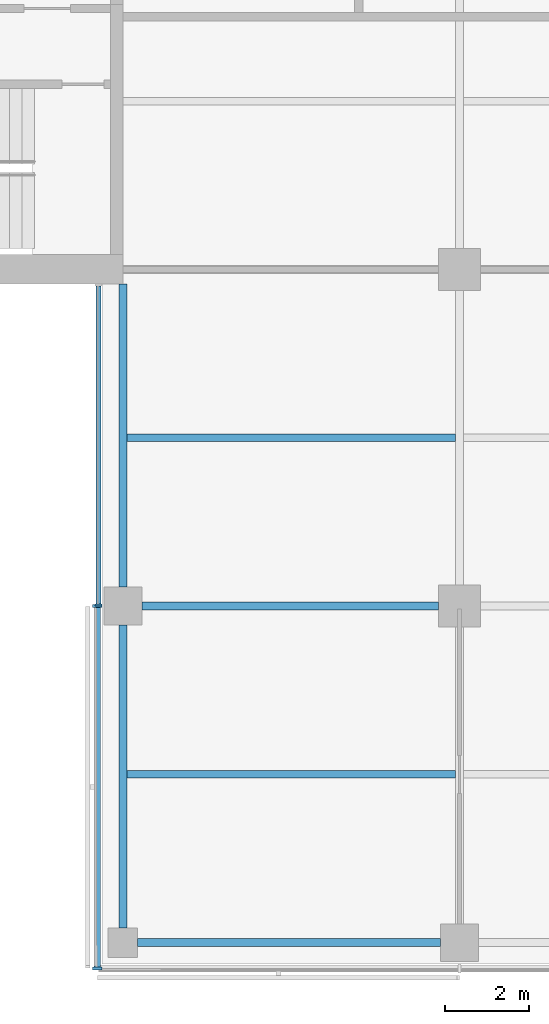
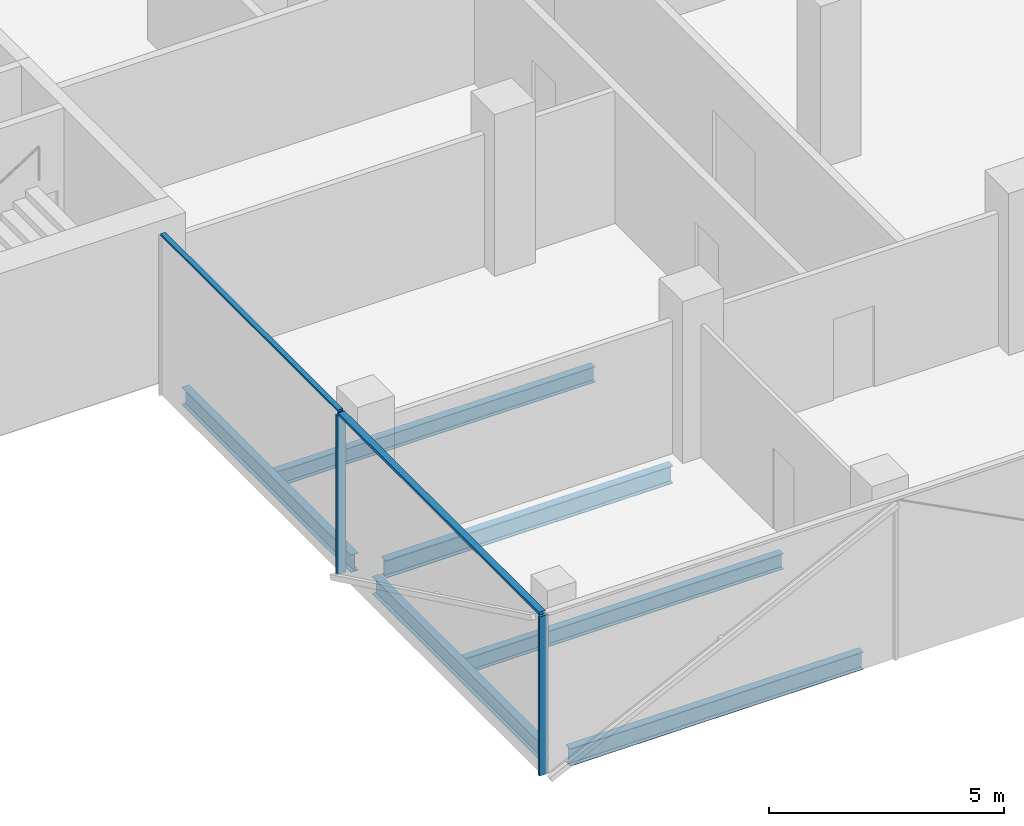
# One storey, part 2 of 22: 6 beams, 5 members, 2 elements without a shape of their own.
"""IFC4 building model written with IfcOpenShell, lengths in metres."""

from ifc_helpers import new_model, si_unit, direction, frame, origin, origin_2d, place, context, subcontext, project, spatial, rectangle, i_section, extrude, material, material_profile, profile_set, type_object, element, aggregate, save


model = new_model("IFC4")

# Units and contexts
model_context = context("Model", 3, precision=1e-05, world=origin(), true_north=direction((0.0, 1.0)))
body_context = subcontext(model_context, "Body", "Model", "MODEL_VIEW")
ifc_project = project(units=[si_unit("LENGTHUNIT", "METRE"), si_unit("AREAUNIT", "SQUARE_METRE"), si_unit("VOLUMEUNIT", "CUBIC_METRE"), si_unit("PLANEANGLEUNIT", "RADIAN"), si_unit("MASSUNIT", "GRAM", prefix="KILO")], contexts=[model_context])

# Site, building, storey
site_placement = place(None, origin())
site = spatial("IfcSite", under=ifc_project, at=site_placement, CompositionType="ELEMENT")
building_placement = place(site_placement, origin())
building = spatial("IfcBuilding", under=site, at=building_placement, Name="Crosswind Convention Tower", CompositionType="ELEMENT")
storey_placement = place(building_placement, frame((0.0, 0.0, 154.699951171875)))
storey = spatial("IfcBuildingStorey", under=building, at=storey_placement, Name="L32", CompositionType="ELEMENT", Elevation=154.699951171875)

# Beams
ifc_material_1 = material(Name="Steel S355", Category="steel")
ifc_material_profile_1 = material_profile(ifc_material_1, i_section(OverallWidth=0.18994140625, OverallDepth=0.45361328125, WebThickness=0.008544921875, FlangeThickness=0.0126953125, FilletRadius=0.01025390625, at=origin_2d()), Name="UB 457x191x67")
ifc_profile_set_1 = profile_set([ifc_material_profile_1], Name="Steel S355")
beam_type_1 = type_object("IfcBeamType", Name="Edge beam UB 457x191x67", PredefinedType="SPANDREL", material=ifc_profile_set_1)
for number, where, z_axis, x_axis, name in (
    (1, (113.0, 72.35009765625, -0.52685546875), (0.0, 1.0, 0.0), (-1.0, 0.0, 0.0), "B16 L32 edge beam 6"),
    (2, (113.0, 80.449951171875, -0.52685546875), (0.0, 1.0, 0.0), (-1.0, 0.0, 0.0), "B16 L32 edge beam 7"),
    (3, (113.35009765625, 72.0, -0.52685546875), (1.0, 0.0, 0.0), (0.0, 1.0, 0.0), "B16 L32 edge beam 10"),
):
    element("IfcBeam", number, at=place(storey_placement, frame(where, z_axis=z_axis, x_axis=x_axis)), inside=storey, type_object=beam_type_1, Name=name, PredefinedType="SPANDREL", context=body_context, shape_type="SweptSolid", body=[
        extrude(i_section(OverallWidth=0.18994140625, OverallDepth=0.45361328125, WebThickness=0.008544921875, FlangeThickness=0.0126953125, FilletRadius=0.01025390625, at=origin_2d()), origin(), (0.0, 0.0, 1.0), 7.199951171875),
    ])
ifc_material_profile_2 = material_profile(ifc_material_1, i_section(OverallWidth=0.19140625, OverallDepth=0.460205078125, WebThickness=0.010009765625, FlangeThickness=0.01611328125, FilletRadius=0.01025390625, at=origin_2d()), Name="UB 457x191x82")
ifc_profile_set_2 = profile_set([ifc_material_profile_2], Name="Steel S355")
beam_type_2 = type_object("IfcBeamType", Name="Girder UB 457x191x82", PredefinedType="BEAM", material=ifc_profile_set_2)
beam_placement = place(storey_placement, frame((113.449951171875, 80.0, -0.530029296875), z_axis=(1.0, 0.0, 0.0), x_axis=(0.0, 1.0, 0.0)))
element("IfcBeam", 4, at=beam_placement, inside=storey, type_object=beam_type_2, Name="B3 L32 girder 1", PredefinedType="BEAM", context=body_context, shape_type="SweptSolid", body=[
    extrude(i_section(OverallWidth=0.19140625, OverallDepth=0.460205078125, WebThickness=0.010009765625, FlangeThickness=0.01611328125, FilletRadius=0.01025390625, at=origin_2d()), origin(), (0.0, 0.0, 1.0), 7.050048828125),
])

# Curtain wall, member
ifc_material_2 = material(Name="Aluminium unitised curtain wall", Category="aluminium")
curtain_wall_type_1 = type_object("IfcCurtainWallType", Name="CORE END SLOT WALL 160", PredefinedType="USERDEFINED", material=ifc_material_2)
curtain_wall_1_placement = place(storey_placement, origin())
curtain_wall_1 = element("IfcCurtainWall", 5, at=curtain_wall_1_placement, inside=storey, type_object=curtain_wall_type_1, Name="CW6 L32 S-W.1-1 slot", ObjectType="UNITISED", PredefinedType="USERDEFINED")
ifc_material_3 = material(Name="Aluminium mullion", Category="aluminium")
ifc_material_profile_3 = material_profile(ifc_material_3, rectangle(XDim=0.159912109375, YDim=0.050048828125, at=origin_2d()), Name="AL 160X50")
ifc_profile_set_3 = profile_set([ifc_material_profile_3], Name="Aluminium mullion")
member_type_1 = type_object("IfcMemberType", Name="MULLION 50X160", PredefinedType="MULLION", material=ifc_profile_set_3)
member_1_placement = place(storey_placement, frame((112.419921875, 80.02490234375, -0.300048828125), z_axis=(0.0, 0.0, 1.0), x_axis=(-1.0, 0.0, 0.0)))
member_1 = element("IfcMember", 6, at=member_1_placement, type_object=member_type_1, Name="CW6 mullion 2", PredefinedType="MULLION", context=body_context, shape_type="SweptSolid", body=[
    extrude(rectangle(XDim=0.159912109375, YDim=0.050048828125, at=origin_2d()), origin(), (0.0, 0.0, 1.0), 4.150146484375),
])

# Curtain wall, members
curtain_wall_type_2 = type_object("IfcCurtainWallType", Name="OFFICE UNITISED WALL 220", PredefinedType="USERDEFINED", material=ifc_material_2)
curtain_wall_2_placement = place(storey_placement, origin())
curtain_wall_2 = element("IfcCurtainWall", 7, at=curtain_wall_2_placement, inside=storey, type_object=curtain_wall_type_2, Name="CW3 L32 S-W 1", ObjectType="UNITISED", PredefinedType="USERDEFINED")
ifc_material_profile_4 = material_profile(ifc_material_3, rectangle(XDim=0.219970703125, YDim=0.070068359375, at=origin_2d()), Name="AL 220X70")
ifc_profile_set_4 = profile_set([ifc_material_profile_4], Name="Aluminium mullion")
member_type_2 = type_object("IfcMemberType", Name="MULLION 70X220", PredefinedType="MULLION", material=ifc_profile_set_4)
member_2_placement = place(storey_placement, frame((112.389892578125, 80.0, -0.300048828125), z_axis=(0.0, 0.0, 1.0), x_axis=(-1.0, 0.0, 0.0)))
member_2 = element("IfcMember", 8, at=member_2_placement, type_object=member_type_2, Name="CW3 mullion 1", PredefinedType="MULLION", context=body_context, shape_type="SweptSolid", body=[
    extrude(rectangle(XDim=0.219970703125, YDim=0.070068359375, at=origin_2d()), origin(), (0.0, 0.0, 1.0), 4.130126953125),
])
member_3_placement = place(storey_placement, frame((112.389892578125, 71.389892578125, -0.300048828125), z_axis=(0.0, 0.0, 1.0), x_axis=(-1.0, 0.0, 0.0)))
member_3 = element("IfcMember", 9, at=member_3_placement, type_object=member_type_2, Name="CW3 mullion 2", PredefinedType="MULLION", context=body_context, shape_type="SweptSolid", body=[
    extrude(rectangle(XDim=0.219970703125, YDim=0.070068359375, at=origin_2d()), origin(), (0.0, 0.0, 1.0), 4.130126953125),
])

# Beams
ifc_material_profile_5 = material_profile(ifc_material_1, i_section(OverallWidth=0.177734375, OverallDepth=0.406494140625, WebThickness=0.0078125, FlangeThickness=0.0126953125, FilletRadius=0.01025390625, at=origin_2d()), Name="UB 406x178x60")
ifc_profile_set_5 = profile_set([ifc_material_profile_5], Name="Steel S355")
beam_type_3 = type_object("IfcBeamType", Name="Secondary beam UB 406x178x60", PredefinedType="JOIST", material=ifc_profile_set_5)
for number, where, z_axis, x_axis, name in (
    (10, (113.094970703125, 76.0, -0.503173828125), (1.0, 0.0, 0.0), (0.0, 1.0, 0.0), "B10 L32 secondary beam 7"),
    (11, (113.094970703125, 84.0, -0.503173828125), (1.0, 0.0, 0.0), (0.0, 1.0, 0.0), "B10 L32 secondary beam 8"),
):
    element("IfcBeam", number, at=place(storey_placement, frame(where, z_axis=z_axis, x_axis=x_axis)), inside=storey, type_object=beam_type_3, Name=name, PredefinedType="JOIST", context=body_context, shape_type="SweptSolid", body=[
        extrude(i_section(OverallWidth=0.177734375, OverallDepth=0.406494140625, WebThickness=0.0078125, FlangeThickness=0.0126953125, FilletRadius=0.01025390625, at=origin_2d()), origin(), (0.0, 0.0, 1.0), 7.809326171875),
    ])

# Member
ifc_material_4 = material(Name="Aluminium transom", Category="aluminium")
ifc_material_profile_6 = material_profile(ifc_material_4, rectangle(XDim=0.1201171875, YDim=0.050048828125, at=origin_2d()), Name="AL 120X50")
ifc_profile_set_6 = profile_set([ifc_material_profile_6], Name="Aluminium transom")
member_type_3 = type_object("IfcMemberType", Name="TRANSOM 50X120", PredefinedType="USERDEFINED", material=ifc_profile_set_6)
member_4_placement = place(storey_placement, frame((112.419921875, 87.60009765625, 3.875), z_axis=(0.0, -1.0, 0.0), x_axis=(1.0, 0.0, 0.0)))
member_4 = element("IfcMember", 12, at=member_4_placement, type_object=member_type_3, Name="CW6 transom", ObjectType="TRANSOM", PredefinedType="USERDEFINED", context=body_context, shape_type="SweptSolid", body=[
    extrude(rectangle(XDim=0.1201171875, YDim=0.050048828125, at=origin_2d()), origin(), (0.0, 0.0, 1.0), 7.550048828125),
])

aggregate(curtain_wall_1, [member_1, member_4])

ifc_material_profile_7 = material_profile(ifc_material_4, rectangle(XDim=0.159912109375, YDim=0.070068359375, at=origin_2d()), Name="AL 160X70")
ifc_profile_set_7 = profile_set([ifc_material_profile_7], Name="Aluminium transom")
member_type_4 = type_object("IfcMemberType", Name="TRANSOM 70X160", PredefinedType="USERDEFINED", material=ifc_profile_set_7)
member_5_placement = place(storey_placement, frame((112.389892578125, 79.965087890625, 3.864990234375), z_axis=(0.0, -1.0, 0.0), x_axis=(1.0, 0.0, 0.0)))
member_5 = element("IfcMember", 13, at=member_5_placement, type_object=member_type_4, Name="CW3 transom", ObjectType="TRANSOM", PredefinedType="USERDEFINED", context=body_context, shape_type="SweptSolid", body=[
    extrude(rectangle(XDim=0.159912109375, YDim=0.070068359375, at=origin_2d()), origin(), (0.0, 0.0, 1.0), 8.5400390625),
])

aggregate(curtain_wall_2, [member_2, member_3, member_5])

save(model, "model.ifc")
